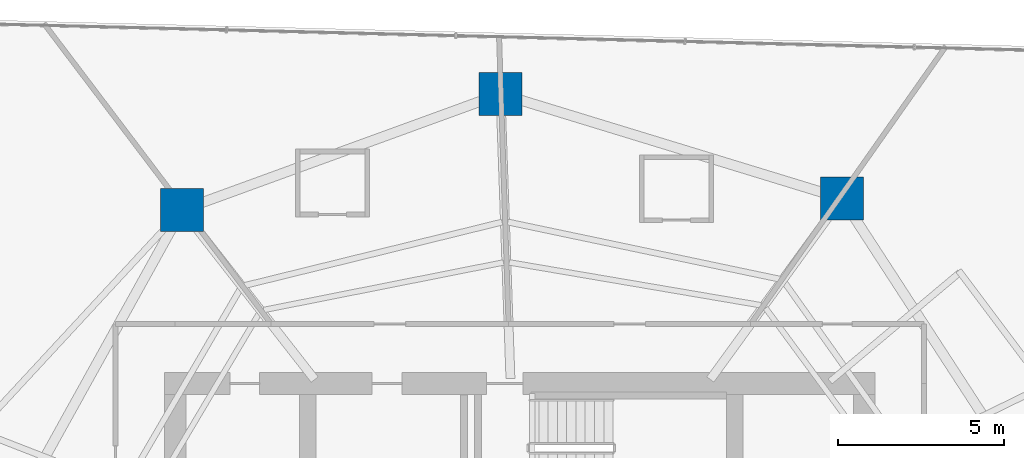
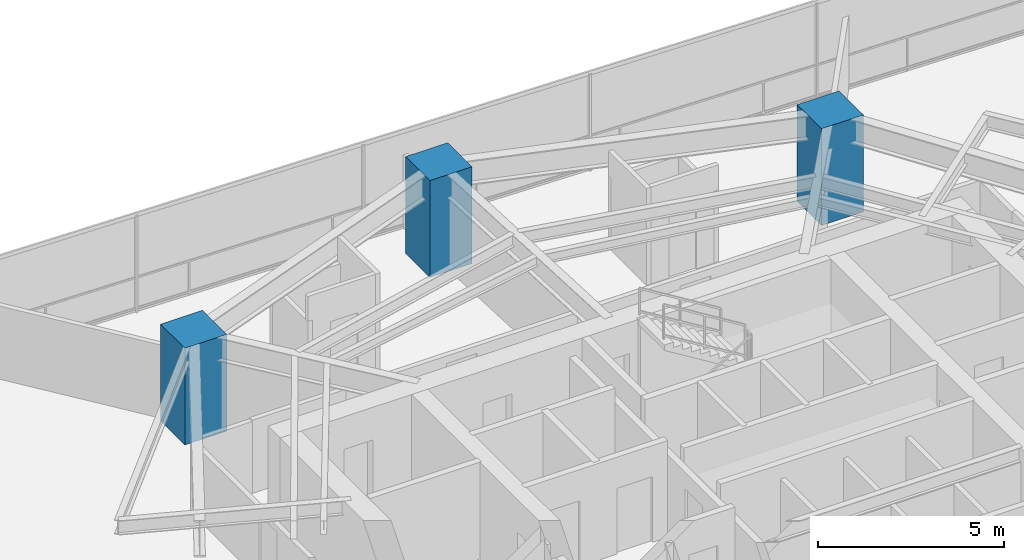
# One storey, part 2 of 30: 3 columns.
"""IFC4 building model written with IfcOpenShell, lengths in metres."""

from ifc_helpers import new_model, si_unit, direction, frame, origin, origin_2d, place, context, subcontext, project, spatial, rectangle, extrude, material, material_profile, profile_set, type_object, element, save


model = new_model("IFC4")

# Units and contexts
model_context = context("Model", 3, precision=1e-05, world=origin(), true_north=direction((0.0, 1.0)))
body_context = subcontext(model_context, "Body", "Model", "MODEL_VIEW")
ifc_project = project(units=[si_unit("LENGTHUNIT", "METRE"), si_unit("AREAUNIT", "SQUARE_METRE"), si_unit("VOLUMEUNIT", "CUBIC_METRE"), si_unit("PLANEANGLEUNIT", "RADIAN"), si_unit("MASSUNIT", "GRAM", prefix="KILO")], contexts=[model_context])

# Site, building, storey
site_placement = place(None, origin())
site = spatial("IfcSite", under=ifc_project, at=site_placement, CompositionType="ELEMENT")
building_placement = place(site_placement, origin())
building = spatial("IfcBuilding", under=site, at=building_placement, Name="Qarnah Convention Tower", CompositionType="ELEMENT")
storey_placement = place(building_placement, frame((0.0, 0.0, 61.5)))
storey = spatial("IfcBuildingStorey", under=building, at=storey_placement, Name="L15", CompositionType="ELEMENT", Elevation=61.5)

# Columns
ifc_material = material(Name="Concrete C60/75", Category="concrete")
ifc_material_profile = material_profile(ifc_material, rectangle(XDim=1.300048828125, YDim=1.300048828125, at=origin_2d()), Name="RC-COL-1300X1300")
ifc_profile_set = profile_set([ifc_material_profile], Name="Concrete C60/75")
column_type = type_object("IfcColumnType", Name="COL-Z1-1300", PredefinedType="COLUMN", material=ifc_profile_set)
for number, where, z_axis, x_axis, name in (
    (1, (46.927978515625, 39.7890625, 0.0), (0.0, 0.0, 1.0), (1.0, 0.0, 0.0), "L15 plumb column PC-Z1-02"),
    (2, (36.6220703125, 42.93994140625, 0.0), (0.0, 0.0, 1.0), (1.0, 0.0, 0.0), "L15 plumb column PC-Z1-03"),
    (3, (27.010986328125, 39.44189453125, 0.0), (0.0, 0.0, 1.0), (1.0, 0.0, 0.0), "L15 plumb column PC-Z1-04"),
):
    element("IfcColumn", number, at=place(storey_placement, frame(where, z_axis=z_axis, x_axis=x_axis)), inside=storey, type_object=column_type, Name=name, PredefinedType="COLUMN", context=body_context, shape_type="SweptSolid", body=[
        extrude(rectangle(XDim=1.300048828125, YDim=1.300048828125, at=origin_2d()), origin(), (0.0, 0.0, 1.0), 3.169921875),
    ])

save(model, "model.ifc")
